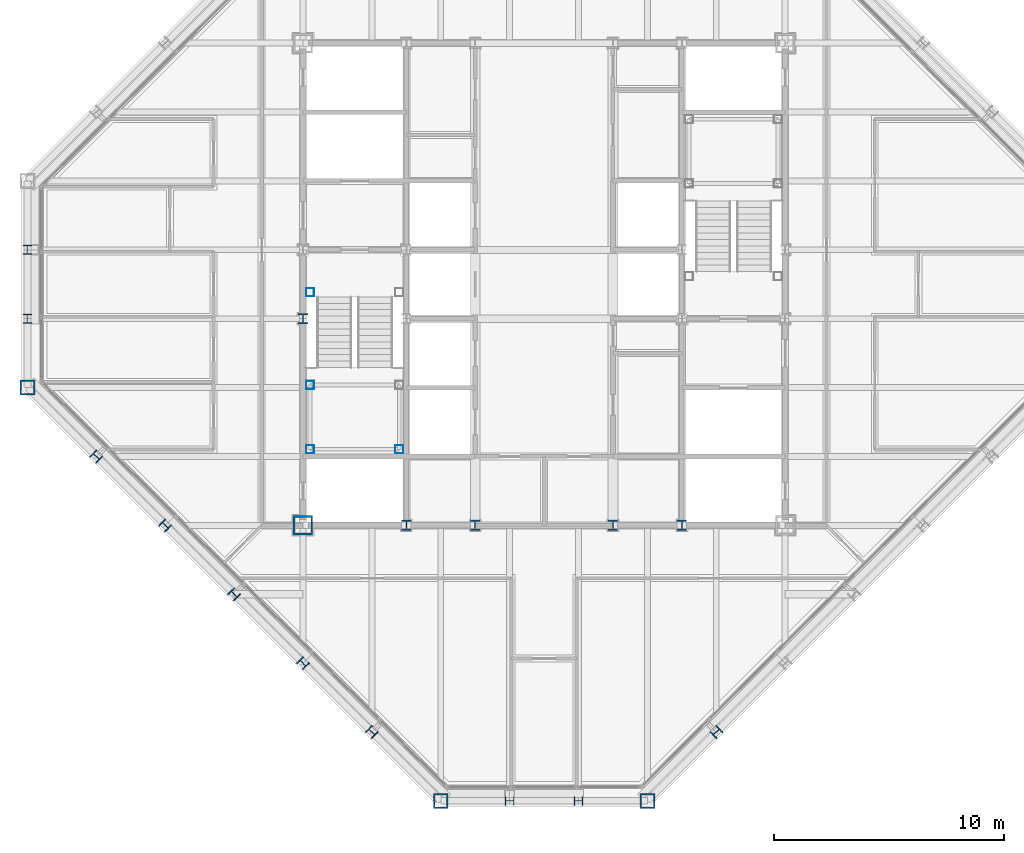
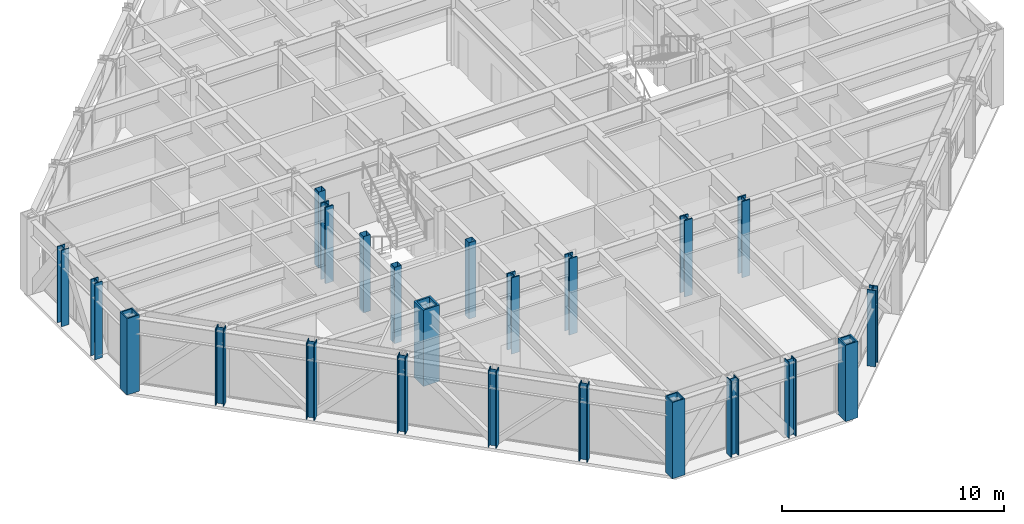
# One storey, part 1 of 15: 23 columns.
"""IFC4 building model written with IfcOpenShell, lengths in metres."""

from ifc_helpers import new_model, si_unit, direction, frame, origin, origin_2d, place, context, subcontext, project, spatial, hollow_rectangle, i_section, extrude, material, material_profile, profile_set, type_object, element, save


model = new_model("IFC4")

# Units and contexts
model_context = context("Model", 3, precision=1e-05, world=origin(), true_north=direction((0.0, 1.0)))
body_context = subcontext(model_context, "Body", "Model", "MODEL_VIEW")
ifc_project = project(units=[si_unit("LENGTHUNIT", "METRE"), si_unit("AREAUNIT", "SQUARE_METRE"), si_unit("VOLUMEUNIT", "CUBIC_METRE"), si_unit("PLANEANGLEUNIT", "RADIAN"), si_unit("MASSUNIT", "GRAM", prefix="KILO")], contexts=[model_context])

# Site, building, storey
site_placement = place(None, origin())
site = spatial("IfcSite", under=ifc_project, at=site_placement, CompositionType="ELEMENT")
building_placement = place(site_placement, origin())
building = spatial("IfcBuilding", under=site, at=building_placement, Name="Chuquiago Exchange Tower", CompositionType="ELEMENT")
storey_placement = place(building_placement, frame((0.0, 0.0, 283.199951171875)))
storey = spatial("IfcBuildingStorey", under=building, at=storey_placement, Name="L63", CompositionType="ELEMENT", Elevation=283.199951171875)

# Columns
ifc_material_1 = material(Name="Steel ASTM A992", Category="steel")
ifc_material_profile_1 = material_profile(ifc_material_1, i_section(OverallWidth=0.4013671875, OverallDepth=0.398681640625, WebThickness=0.02490234375, FlangeThickness=0.03955078125, at=origin_2d()), Name="W14X211")
ifc_profile_set_1 = profile_set([ifc_material_profile_1], Name="Steel ASTM A992")
column_type_1 = type_object("IfcColumnType", Name="C9 W14X211", PredefinedType="COLUMN", material=ifc_profile_set_1)
for number, where, z_axis, x_axis, name in (
    (1, (21.0, 0.0, 0.0), (0.0, 0.0, 1.0), (0.0, -1.0, 0.0), "COL-L63-21_0"),
    (2, (24.0, 0.0, 0.0), (0.0, 0.0, 1.0), (0.0, -1.0, 0.0), "COL-L63-24_0"),
    (3, (0.0, 24.0, 0.0), (0.0, 0.0, 1.0), (-1.0, 0.0, 0.0), "COL-L63-0_24"),
    (4, (0.0, 21.0, 0.0), (0.0, 0.0, 1.0), (-1.0, 0.0, 0.0), "COL-L63-0_21"),
):
    element("IfcColumn", number, at=place(storey_placement, frame(where, z_axis=z_axis, x_axis=x_axis)), inside=storey, type_object=column_type_1, Name=name, PredefinedType="COLUMN", context=body_context, shape_type="SweptSolid", body=[
        extrude(i_section(OverallWidth=0.4013671875, OverallDepth=0.398681640625, WebThickness=0.02490234375, FlangeThickness=0.03955078125, at=origin_2d()), origin(), (0.0, 0.0, 1.0), 4.199951171875),
    ])
ifc_material_2 = material(Name="Steel ASTM A572 Grade 50", Category="steel")
ifc_material_profile_2 = material_profile(ifc_material_2, hollow_rectangle(XDim=0.85009765625, YDim=0.85009765625, WallThickness=0.0849609375, at=origin_2d()), Name="BOX850X850X85")
ifc_profile_set_2 = profile_set([ifc_material_profile_2], Name="Steel ASTM A572 Grade 50")
column_type_2 = type_object("IfcColumnType", Name="CC6 BOX850X850X85", PredefinedType="COLUMN", material=ifc_profile_set_2)
column_placement = place(storey_placement, frame((12.0, 12.0, 0.0), z_axis=(0.0, 0.0, 1.0), x_axis=(1.0, 0.0, 0.0)))
element("IfcColumn", 5, at=column_placement, inside=storey, type_object=column_type_2, Name="CCOL-L63-12_12", PredefinedType="COLUMN", context=body_context, shape_type="SweptSolid", body=[
    extrude(hollow_rectangle(XDim=0.85009765625, YDim=0.85009765625, WallThickness=0.0849609375, at=origin_2d()), origin(), (0.0, 0.0, 1.0), 4.199951171875),
])
ifc_material_3 = material(Name="Steel ASTM A992", Category="steel")
ifc_material_profile_3 = material_profile(ifc_material_3, i_section(OverallWidth=0.41650390625, OverallDepth=0.444580078125, WebThickness=0.0390625, FlangeThickness=0.062744140625, at=origin_2d()), Name="W14X342")
ifc_profile_set_3 = profile_set([ifc_material_profile_3], Name="Steel ASTM A992")
column_type_3 = type_object("IfcColumnType", Name="CC9 W14X342", PredefinedType="COLUMN", material=ifc_profile_set_3)
for number, where, z_axis, x_axis, name in (
    (6, (16.5, 12.0, 0.0), (0.0, 0.0, 1.0), (1.0, 0.0, 0.0), "CCOL-L63-16.5_12"),
    (7, (19.5, 12.0, 0.0), (0.0, 0.0, 1.0), (1.0, 0.0, 0.0), "CCOL-L63-19.5_12"),
    (8, (25.5, 12.0, 0.0), (0.0, 0.0, 1.0), (1.0, 0.0, 0.0), "CCOL-L63-25.5_12"),
    (9, (28.5, 12.0, 0.0), (0.0, 0.0, 1.0), (1.0, 0.0, 0.0), "CCOL-L63-28.5_12"),
    (10, (12.0, 21.0, 0.0), (0.0, 0.0, 1.0), (1.0, 0.0, 0.0), "CCOL-L63-12_21"),
):
    element("IfcColumn", number, at=place(storey_placement, frame(where, z_axis=z_axis, x_axis=x_axis)), inside=storey, type_object=column_type_3, Name=name, PredefinedType="COLUMN", context=body_context, shape_type="SweptSolid", body=[
        extrude(i_section(OverallWidth=0.41650390625, OverallDepth=0.444580078125, WebThickness=0.0390625, FlangeThickness=0.062744140625, at=origin_2d()), origin(), (0.0, 0.0, 1.0), 4.199951171875),
    ])
ifc_material_4 = material(Name="Steel ASTM A992", Category="steel")
ifc_material_profile_4 = material_profile(ifc_material_4, i_section(OverallWidth=0.40380859375, OverallDepth=0.406494140625, WebThickness=0.027099609375, FlangeThickness=0.043701171875, at=origin_2d()), Name="W14X233")
ifc_profile_set_4 = profile_set([ifc_material_profile_4], Name="Steel ASTM A992")
column_type_4 = type_object("IfcColumnType", Name="CK8 W14X233", PredefinedType="COLUMN", material=ifc_profile_set_4)
for number, where, z_axis, x_axis, name in (
    (11, (30.0, 3.0, 0.0), (0.0, 0.0, 1.0), (0.707106781187, -0.707106781187, 0.0), "COL-L63-30_3"),
    (12, (3.0, 15.0, 0.0), (0.0, 0.0, 1.0), (-0.707106781187, -0.707106781187, 0.0), "COL-L63-3_15"),
    (13, (6.0, 12.0, 0.0), (0.0, 0.0, 1.0), (-0.707106781187, -0.707106781187, 0.0), "COL-L63-6_12"),
    (14, (9.0, 9.0, 0.0), (0.0, 0.0, 1.0), (-0.707106781187, -0.707106781187, 0.0), "COL-L63-9_9"),
    (15, (12.0, 6.0, 0.0), (0.0, 0.0, 1.0), (-0.707106781187, -0.707106781187, 0.0), "COL-L63-12_6"),
    (16, (15.0, 3.0, 0.0), (0.0, 0.0, 1.0), (-0.707106781187, -0.707106781187, 0.0), "COL-L63-15_3"),
):
    element("IfcColumn", number, at=place(storey_placement, frame(where, z_axis=z_axis, x_axis=x_axis)), inside=storey, type_object=column_type_4, Name=name, PredefinedType="COLUMN", context=body_context, shape_type="SweptSolid", body=[
        extrude(i_section(OverallWidth=0.40380859375, OverallDepth=0.406494140625, WebThickness=0.027099609375, FlangeThickness=0.043701171875, at=origin_2d()), origin(), (0.0, 0.0, 1.0), 4.199951171875),
    ])
ifc_material_5 = material(Name="Steel ASTM A572 Grade 50", Category="steel")
ifc_material_profile_5 = material_profile(ifc_material_5, hollow_rectangle(XDim=0.64990234375, YDim=0.64990234375, WallThickness=0.06494140625, at=origin_2d()), Name="BOX650X650X65")
ifc_profile_set_5 = profile_set([ifc_material_profile_5], Name="Steel ASTM A572 Grade 50")
column_type_5 = type_object("IfcColumnType", Name="CN2 BOX650X650X65", PredefinedType="COLUMN", material=ifc_profile_set_5)
for number, where, z_axis, x_axis, name in (
    (17, (18.0, 0.0, 0.0), (0.0, 0.0, 1.0), (0.0, -1.0, 0.0), "COL-L63-18_0"),
    (18, (27.0, 0.0, 0.0), (0.0, 0.0, 1.0), (0.0, -1.0, 0.0), "COL-L63-27_0"),
    (19, (0.0, 18.0, 0.0), (0.0, 0.0, 1.0), (-1.0, 0.0, 0.0), "COL-L63-0_18"),
):
    element("IfcColumn", number, at=place(storey_placement, frame(where, z_axis=z_axis, x_axis=x_axis)), inside=storey, type_object=column_type_5, Name=name, PredefinedType="COLUMN", context=body_context, shape_type="SweptSolid", body=[
        extrude(hollow_rectangle(XDim=0.64990234375, YDim=0.64990234375, WallThickness=0.06494140625, at=origin_2d()), origin(), (0.0, 0.0, 1.0), 4.199951171875),
    ])
ifc_material_6 = material(Name="Steel ASTM A500 Grade C", Category="steel")
ifc_material_profile_6 = material_profile(ifc_material_6, hollow_rectangle(XDim=0.355712890625, YDim=0.355712890625, WallThickness=0.0087890625, at=origin_2d()), Name="HSS14X14X3/8")
ifc_profile_set_6 = profile_set([ifc_material_profile_6], Name="Steel ASTM A500 Grade C")
column_type_6 = type_object("IfcColumnType", Name="PT1 HSS14X14X3/8", PredefinedType="COLUMN", material=ifc_profile_set_6)
for number, where, z_axis, x_axis, name in (
    (20, (12.31005859375, 15.31005859375, 0.0), (0.0, 0.0, 1.0), (1.0, 0.0, 0.0), "Stair ST1 L63 landing post"),
    (21, (16.18994140625, 15.31005859375, 0.0), (0.0, 0.0, 1.0), (1.0, 0.0, 0.0), "Stair ST1 L63 landing post"),
    (22, (12.31005859375, 18.110107421875, 0.0), (0.0, 0.0, 1.0), (1.0, 0.0, 0.0), "Stair ST1 L63 landing post"),
    (23, (12.31005859375, 22.14990234375, 0.0), (0.0, 0.0, 1.0), (1.0, 0.0, 0.0), "Stair ST1 L63 landing post"),
):
    element("IfcColumn", number, at=place(storey_placement, frame(where, z_axis=z_axis, x_axis=x_axis)), inside=storey, type_object=column_type_6, Name=name, PredefinedType="COLUMN", context=body_context, shape_type="SweptSolid", body=[
        extrude(hollow_rectangle(XDim=0.355712890625, YDim=0.355712890625, WallThickness=0.0087890625, at=origin_2d()), origin(), (0.0, 0.0, 1.0), 4.199951171875),
    ])

save(model, "model.ifc")
